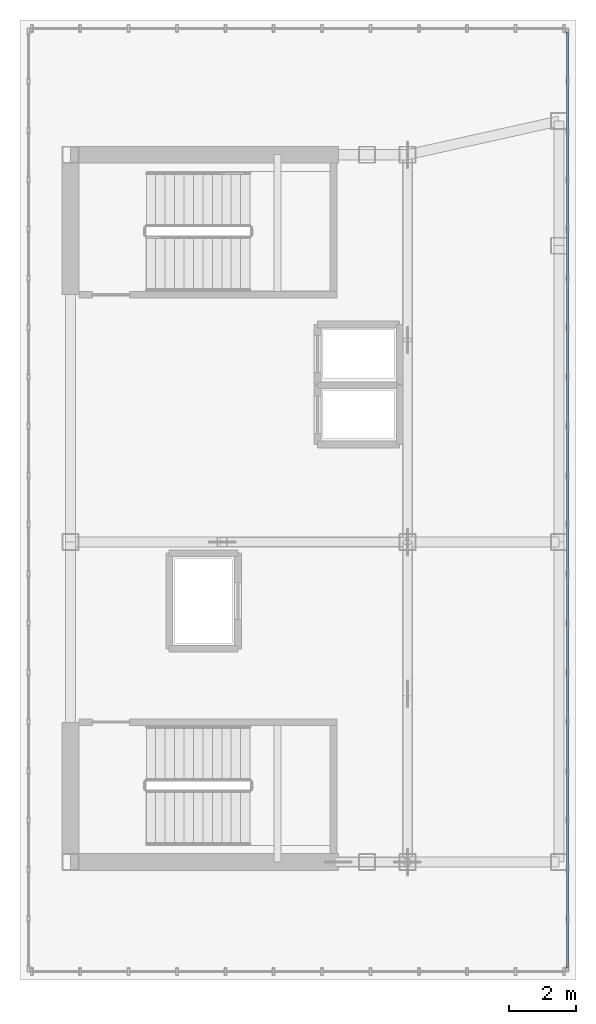
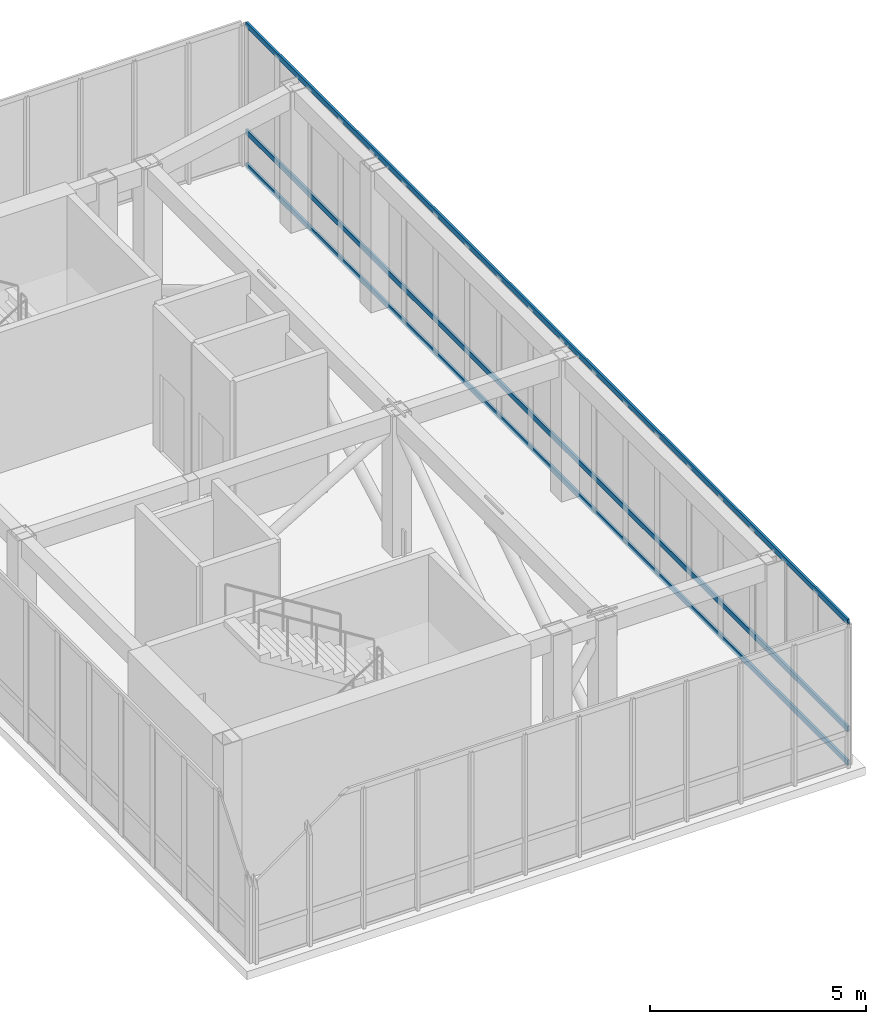
# One storey, part 6 of 13: 3 members, 1 element without a shape of its own.
"""IFC4 building model written with IfcOpenShell, lengths in metres."""

from ifc_helpers import new_model, si_unit, direction, frame, origin, origin_2d, place, context, subcontext, project, spatial, hollow_rectangle, extrude, source, transform, mapped, material, layer, layer_set, material_profile, profile_set, type_object, element, aggregate, save


model = new_model("IFC4")

# Units and contexts
model_context = context("Model", 3, precision=1e-05, world=origin(), true_north=direction((0.0, 1.0)))
body_context = subcontext(model_context, "Body", "Model", "MODEL_VIEW")
ifc_project = project(units=[si_unit("LENGTHUNIT", "METRE"), si_unit("AREAUNIT", "SQUARE_METRE"), si_unit("VOLUMEUNIT", "CUBIC_METRE"), si_unit("PLANEANGLEUNIT", "RADIAN"), si_unit("MASSUNIT", "GRAM", prefix="KILO")], contexts=[model_context])

# Site, building, storey
site_placement = place(None, origin())
site = spatial("IfcSite", under=ifc_project, at=site_placement, CompositionType="ELEMENT")
building_placement = place(site_placement, origin())
building = spatial("IfcBuilding", under=site, at=building_placement, Name="Kharzan Plaza Tower", CompositionType="ELEMENT")
storey_placement = place(building_placement, frame((0.0, 0.0, 294.0)))
storey = spatial("IfcBuildingStorey", under=building, at=storey_placement, Name="L79-CROWN", CompositionType="ELEMENT", Elevation=294.0)

# Curtain wall, members
ifc_material_1 = material(Name="Unitised Bronze-Anodized Aluminium and Low-E Glass", Category="aluminium")
ifc_layer = layer(ifc_material_1, 0.199951171875)
ifc_layer_set = layer_set([ifc_layer], Name="Unitised Bronze-Anodized Aluminium and Low-E Glass")
curtain_wall_type = type_object("IfcCurtainWallType", Name="CW-LANTERN-6", PredefinedType="NOTDEFINED", material=ifc_layer_set)
curtain_wall_placement = place(storey_placement, origin())
curtain_wall = element("IfcCurtainWall", 1, at=curtain_wall_placement, inside=storey, type_object=curtain_wall_type, Name="L79-CROWN Lantern Crown Illuminated Curtain Wall 2", PredefinedType="NOTDEFINED")
ifc_material_2 = material(Name="Anodized Bronze Aluminium", Category="aluminium")
ifc_material_profile = material_profile(ifc_material_2, hollow_rectangle(XDim=0.06005859375, YDim=0.14990234375, WallThickness=0.00341796875, at=origin_2d()), Name="ALU-T150x60x3.5")
ifc_profile_set = profile_set([ifc_material_profile], Name="Anodized Bronze Aluminium")
member_type = type_object("IfcMemberType", Name="MEM-CW-TRN150", PredefinedType="USERDEFINED", material=ifc_profile_set)
shared_shape = source(origin(), body_context, "Body", "SweptSolid", [
    extrude(hollow_rectangle(XDim=0.06005859375, YDim=0.14990234375, WallThickness=0.00341796875, at=origin_2d()), origin(), (0.0, 0.0, 1.0), 27.7998046875),
])
member_1_placement = place(storey_placement, frame((19.25, 5.35009765625, 0.0), z_axis=(0.0, 1.0, 0.0), x_axis=(-1.0, 0.0, 0.0)))
member_1 = element("IfcMember", 2, at=member_1_placement, type_object=member_type, Name="L79-CROWN Curtain-Wall Transom 1", ObjectType="TRANSOM", PredefinedType="USERDEFINED", context=body_context, shape_type="MappedRepresentation", body=[
    mapped(shared_shape, transform((0.0, 0.0, 0.0), x_axis=(1.0, 0.0, 0.0), y_axis=(0.0, 1.0, 0.0), z_axis=(0.0, 0.0, 1.0))),
])
member_2_placement = place(storey_placement, frame((19.25, 5.35009765625, 0.949951171875), z_axis=(0.0, 1.0, 0.0), x_axis=(-1.0, 0.0, 0.0)))
member_2 = element("IfcMember", 3, at=member_2_placement, type_object=member_type, Name="L79-CROWN Curtain-Wall Transom 2", ObjectType="TRANSOM", PredefinedType="USERDEFINED", context=body_context, shape_type="MappedRepresentation", body=[
    mapped(shared_shape, transform((0.0, 0.0, 0.0), x_axis=(1.0, 0.0, 0.0), y_axis=(0.0, 1.0, 0.0), z_axis=(0.0, 0.0, 1.0))),
])
member_3_placement = place(storey_placement, frame((19.25, 5.35009765625, 3.969970703125), z_axis=(0.0, 1.0, 0.0), x_axis=(-1.0, 0.0, 0.0)))
member_3 = element("IfcMember", 4, at=member_3_placement, type_object=member_type, Name="L79-CROWN Curtain-Wall Transom 3", ObjectType="TRANSOM", PredefinedType="USERDEFINED", context=body_context, shape_type="MappedRepresentation", body=[
    mapped(shared_shape, transform((0.0, 0.0, 0.0), x_axis=(1.0, 0.0, 0.0), y_axis=(0.0, 1.0, 0.0), z_axis=(0.0, 0.0, 1.0))),
])
aggregate(curtain_wall, [member_1, member_2, member_3])

save(model, "model.ifc")
